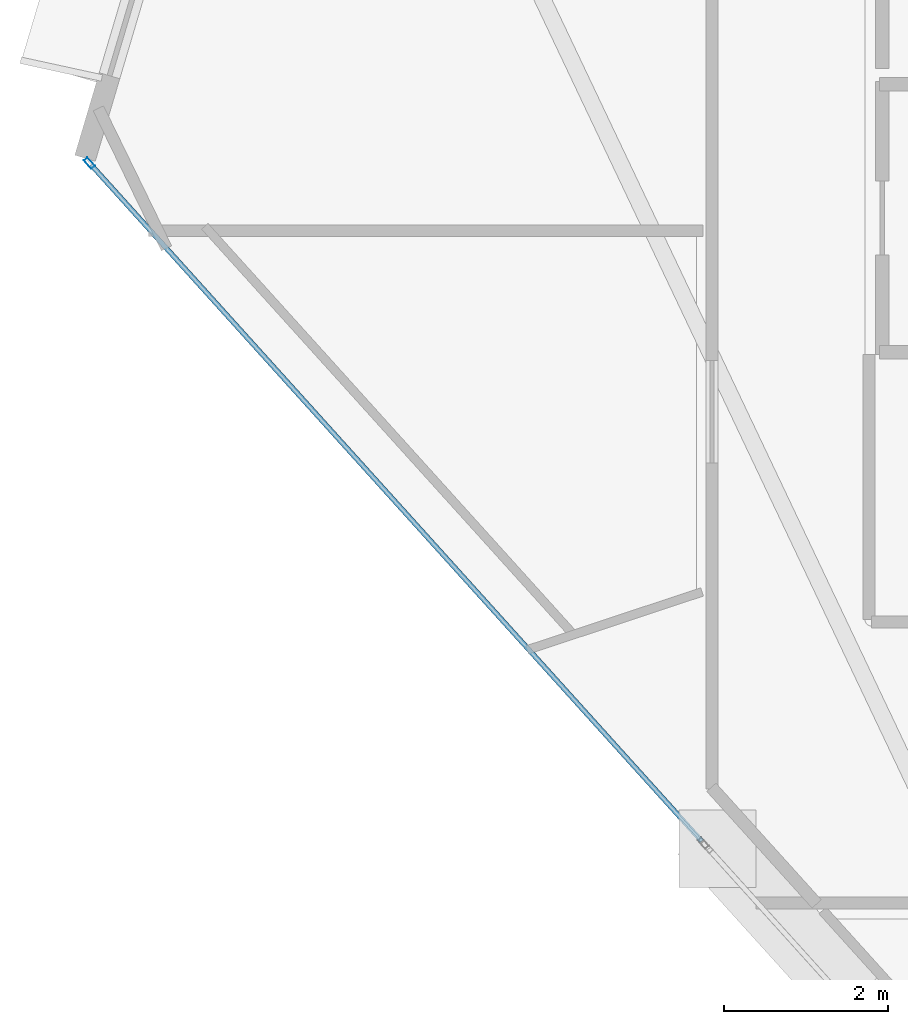
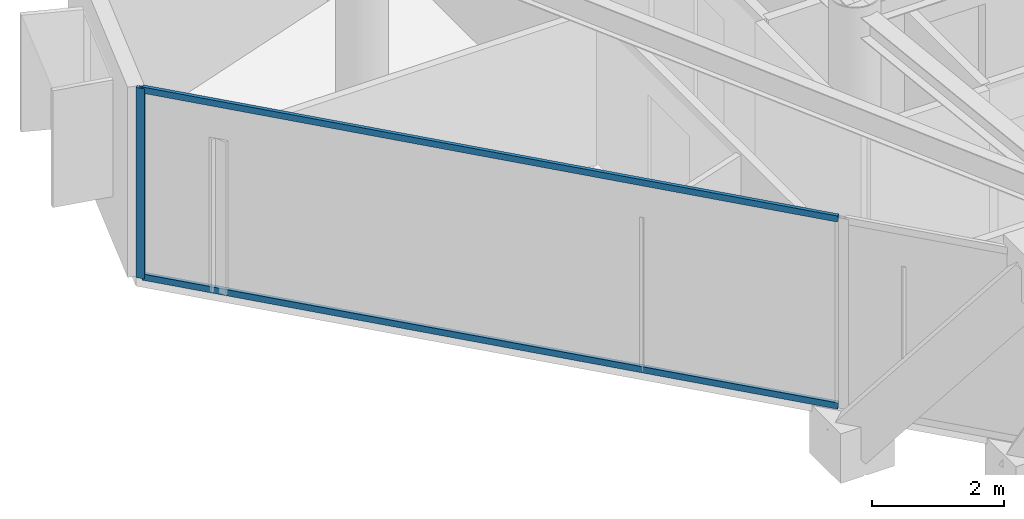
# One storey, part 6 of 19: 3 members, 1 element without a shape of its own.
"""IFC4 building model written with IfcOpenShell, lengths in metres."""

import ifcopenshell
import ifcopenshell.guid

model = None  # the IFC model being written
_history = None  # IfcOwnerHistory: only IFC2X3 demands one
_inside = {}  # id of a spatial element -> (the spatial element, [elements in it])
_under = {}  # id of a project, library or spatial element -> (it, [spatial elements below it])
_declared = {}  # id of a project -> (the project, [libraries it declares])
_typed = {}  # id of a type object -> (the type object, [elements of that type])
_made_of = {}  # id of a material, layer set ... -> (it, [elements and type objects made of it])


def new_model(schema):
    """Start an empty IFC model of exactly this schema.

    Asked for "IFC4X3", IfcOpenShell would pick the latest addendum, in which some entities
    have other attributes; the version numbers below select the first issue.
    IFC2X3 requires an IfcOwnerHistory on every rooted entity: one is made here for all.
    """
    global model, _history
    if schema == "IFC4X3":
        model = ifcopenshell.file(schema_version=(4, 3, 0, 0))
    else:
        model = ifcopenshell.file(schema=schema)
    _inside.clear()
    _under.clear()
    _declared.clear()
    _typed.clear()
    _made_of.clear()
    _history = None
    if model.schema == "IFC2X3":
        org = make("IfcOrganization", Name="unknown")
        user = make(
            "IfcPersonAndOrganization",
            ThePerson=make("IfcPerson", FamilyName="unknown"),
            TheOrganization=org,
        )
        app = make(
            "IfcApplication",
            ApplicationDeveloper=org,
            Version="unknown",
            ApplicationFullName="unknown",
            ApplicationIdentifier="unknown",
        )
        _history = make(
            "IfcOwnerHistory",
            OwningUser=user,
            OwningApplication=app,
            ChangeAction="ADDED",
            CreationDate=0,
        )
    return model


def make(cls, **values):
    """One entity of the class cls with the attributes given. An attribute that is None is left unset."""
    return model.create_entity(
        cls, **{name: value for name, value in values.items() if value is not None}
    )


def rooted(cls, **values):
    """An entity with a GlobalId (a new one), such as an element, a storey or a relation."""
    return make(cls, GlobalId=ifcopenshell.guid.new(), OwnerHistory=_history, **values)


def si_unit(unit_type, name, prefix=None):
    """IfcSIUnit, for example si_unit("LENGTHUNIT", "METRE", prefix="MILLI")."""
    return make("IfcSIUnit", UnitType=unit_type, Prefix=prefix, Name=name)


def assignment(units):
    """IfcUnitAssignment: the units of a project."""
    return None if units is None else make("IfcUnitAssignment", Units=units)


def point(xyz):
    """IfcCartesianPoint."""
    return None if xyz is None else make("IfcCartesianPoint", Coordinates=xyz)


def direction(xyz):
    """IfcDirection."""
    return None if xyz is None else make("IfcDirection", DirectionRatios=xyz)


def frame(location, z_axis=None, x_axis=None):
    """IfcAxis2Placement3D, a coordinate frame: its origin and axes. An axis left out is left unset."""
    return make(
        "IfcAxis2Placement3D",
        Location=point(location),
        Axis=direction(z_axis),
        RefDirection=direction(x_axis),
    )


def frame_2d(location, x_axis=None):
    """IfcAxis2Placement2D, a coordinate frame in the plane: its origin and x axis."""
    return make(
        "IfcAxis2Placement2D", Location=point(location), RefDirection=direction(x_axis)
    )


def origin():
    """The frame at (0, 0, 0) with its axes left unset."""
    return frame((0.0, 0.0, 0.0))


def origin_2d():
    """The frame at (0, 0) in the plane with its x axis left unset."""
    return frame_2d((0.0, 0.0))


def place(relative_to, where):
    """IfcLocalPlacement: puts the frame where relative to a parent placement (None: the world)."""
    return make(
        "IfcLocalPlacement", PlacementRelTo=relative_to, RelativePlacement=where
    )


def context(
    kind, dimensions, precision=None, world=None, true_north=None, identifier=None
):
    """IfcGeometricRepresentationContext, for example the 3D "Model" context."""
    return make(
        "IfcGeometricRepresentationContext",
        ContextIdentifier=identifier,
        ContextType=kind,
        CoordinateSpaceDimension=dimensions,
        Precision=precision,
        WorldCoordinateSystem=world,
        TrueNorth=true_north,
    )


def subcontext(parent, identifier, kind, view, scale=None):
    """IfcGeometricRepresentationSubContext, for example "Body" below "Model"."""
    return make(
        "IfcGeometricRepresentationSubContext",
        ContextIdentifier=identifier,
        ContextType=kind,
        ParentContext=parent,
        TargetScale=scale,
        TargetView=view,
    )


def project(units=None, contexts=None):
    """IfcProject with its units and contexts."""
    return rooted(
        "IfcProject",
        Name="project",
        RepresentationContexts=contexts,
        UnitsInContext=assignment(units),
    )


def spatial(cls, under=None, at=None, **own):
    """A site, building, storey or space (cls), placed at a placement, below another one or the project."""
    s = rooted(cls, ObjectPlacement=at, **own)
    if under is not None:
        _under.setdefault(under.id(), (under, []))[1].append(s)
    return s


def profile(cls, at=None, kind="AREA", **sizes):
    """A parametric profile (cls). Its sizes go by their IFC names, for example OverallWidth=200.0."""
    return make(cls, ProfileType=kind, Position=at, **sizes)


def hollow_rectangle(**sizes):
    """IfcRectangleHollowProfileDef."""
    return profile("IfcRectangleHollowProfileDef", **sizes)


def extrude(swept, where, along, depth):
    """IfcExtrudedAreaSolid: the profile swept, set in the frame where, extruded along a direction by depth."""
    return make(
        "IfcExtrudedAreaSolid",
        SweptArea=swept,
        Position=where,
        ExtrudedDirection=direction(along),
        Depth=depth,
    )


def shape(context_of_items, identifier, shape_type, items):
    """IfcShapeRepresentation: the items that make up one representation, for example the "Body"."""
    return make(
        "IfcShapeRepresentation",
        ContextOfItems=context_of_items,
        RepresentationIdentifier=identifier,
        RepresentationType=shape_type,
        Items=items,
    )


def material(Name=None, Category=None):
    """IfcMaterial."""
    return make("IfcMaterial", Name=Name, Category=Category)


def layer(
    of_material, thickness, ventilated=None, Name=None, Category=None, Priority=None
):
    """IfcMaterialLayer: one layer of a wall or slab, of a material (None: an air gap)."""
    return make(
        "IfcMaterialLayer",
        Material=of_material,
        LayerThickness=thickness,
        IsVentilated=ventilated,
        Name=Name,
        Category=Category,
        Priority=Priority,
    )


def layer_set(layers, Name=None):
    """IfcMaterialLayerSet."""
    return make("IfcMaterialLayerSet", MaterialLayers=layers, LayerSetName=Name)


def material_profile(
    of_material, cross_section, Name=None, Category=None, Priority=None
):
    """IfcMaterialProfile: a cross section and its material."""
    return make(
        "IfcMaterialProfile",
        Name=Name,
        Material=of_material,
        Profile=cross_section,
        Priority=Priority,
        Category=Category,
    )


def profile_set(profiles, Name=None, composite=None):
    """IfcMaterialProfileSet."""
    return make(
        "IfcMaterialProfileSet",
        Name=Name,
        MaterialProfiles=profiles,
        CompositeProfile=composite,
    )


def made_of(thing, what):
    """Note that an element or type object is made of a material, layer set ...; save() writes the relation."""
    if what is not None:
        _made_of.setdefault(what.id(), (what, []))[1].append(thing)
    return thing


def type_object(cls, material=None, **own):
    """A type object (cls), such as IfcWallType, which elements share."""
    return made_of(rooted(cls, **own), material)


def element(
    cls,
    number,
    at=None,
    inside=None,
    cuts=None,
    type_object=None,
    material=None,
    context=None,
    identifier="Body",
    shape_type=None,
    held_by="IfcProductDefinitionShape",
    body=None,
    shapes=None,
    **own,
):
    """One element of the class cls, such as IfcWall. Its Tag is "e" and its number.

    at: its placement. inside: the storey or other place that contains it. cuts: it is an
    opening in that element (IfcRelVoidsElement). A single representation is given by context,
    identifier, shape_type and body (its items); several are given by shapes. held_by: the class
    of the entity that holds the representations. save() writes the other relations.
    """
    e = rooted(cls, Tag="e%d" % number, ObjectPlacement=at, **own)
    if body is not None:
        shapes = [shape(context, identifier, shape_type, body)]
    if shapes is not None:
        e.Representation = make(held_by, Representations=shapes)
    if inside is not None:
        _inside.setdefault(inside.id(), (inside, []))[1].append(e)
    if cuts is not None:
        rooted(
            "IfcRelVoidsElement", RelatingBuildingElement=cuts, RelatedOpeningElement=e
        )
    if type_object is not None:
        _typed.setdefault(type_object.id(), (type_object, []))[1].append(e)
    return made_of(e, material)


def aggregate(whole, parts):
    """IfcRelAggregates: a whole, such as a stair, and the parts it consists of."""
    return rooted("IfcRelAggregates", RelatingObject=whole, RelatedObjects=parts)


def save(model, path):
    """Write the relations noted so far, then the file.

    IfcRelAggregates (storeys below a building ...), IfcRelContainedInSpatialStructure (elements
    in a storey), IfcRelDefinesByType, IfcRelAssociatesMaterial and IfcRelDeclares: one each for
    every whole, place, type object, material and project.
    """
    for whole, parts in _under.values():
        aggregate(whole, parts)
    for where, things in _inside.values():
        rooted(
            "IfcRelContainedInSpatialStructure",
            RelatedElements=things,
            RelatingStructure=where,
        )
    for kind, things in _typed.values():
        rooted("IfcRelDefinesByType", RelatedObjects=things, RelatingType=kind)
    for what, things in _made_of.values():
        rooted("IfcRelAssociatesMaterial", RelatedObjects=things, RelatingMaterial=what)
    for by, libraries in _declared.values():
        rooted("IfcRelDeclares", RelatingContext=by, RelatedDefinitions=libraries)
    model.write(path)


model = new_model("IFC4")

# Units and contexts
model_context = context("Model", 3, precision=1e-05, world=origin(), true_north=direction((0.0, 1.0)))
body_context = subcontext(model_context, "Body", "Model", "MODEL_VIEW")
ifc_project = project(units=[si_unit("LENGTHUNIT", "METRE"), si_unit("AREAUNIT", "SQUARE_METRE"), si_unit("VOLUMEUNIT", "CUBIC_METRE"), si_unit("PLANEANGLEUNIT", "RADIAN"), si_unit("MASSUNIT", "GRAM", prefix="KILO")], contexts=[model_context])

# Site, building, storey
site_placement = place(None, origin())
site = spatial("IfcSite", under=ifc_project, at=site_placement, CompositionType="ELEMENT")
building_placement = place(site_placement, origin())
building = spatial("IfcBuilding", under=site, at=building_placement, Name="Qianvela Tower", CompositionType="ELEMENT")
storey_placement = place(building_placement, frame((0.0, 0.0, 329.60009765625)))
storey = spatial("IfcBuildingStorey", under=building, at=storey_placement, Name="L85", CompositionType="ELEMENT", Elevation=329.60009765625)

# Curtain wall, members
ifc_material_1 = material(Name="Anodised Architectural Aluminium and Low-E Glass", Category="aluminium")
ifc_layer = layer(ifc_material_1, 0.14990234375)
ifc_layer_set = layer_set([ifc_layer], Name="Anodised Architectural Aluminium and Low-E Glass")
curtain_wall_type = type_object("IfcCurtainWallType", Name="CW-COLIV-Z78", PredefinedType="USERDEFINED", material=ifc_layer_set)
curtain_wall_placement = place(storey_placement, origin())
curtain_wall = element("IfcCurtainWall", 1, at=curtain_wall_placement, inside=storey, type_object=curtain_wall_type, Name="L85 CW-COLIV-Z78 Curtain Wall 04A", ObjectType="CURTAIN_WALL_SYSTEM", PredefinedType="USERDEFINED")
ifc_material_2 = material(Name="Anodised Architectural Aluminium 6063-T6", Category="aluminium")
ifc_material_profile_1 = material_profile(ifc_material_2, hollow_rectangle(XDim=0.06005859375, YDim=0.139892578125, WallThickness=0.00439453125, at=origin_2d()), Name="ALU-MULL-60x140")
ifc_profile_set_1 = profile_set([ifc_material_profile_1], Name="Anodised Architectural Aluminium 6063-T6")
member_type_1 = type_object("IfcMemberType", Name="CW-COLIV-Z78-MULL", PredefinedType="MULLION", material=ifc_profile_set_1)
member_1_placement = place(storey_placement, frame((18.1103515625, 27.329345703125, 0.0), z_axis=(0.0, 0.0, 1.0), x_axis=(0.742210798771, 0.670166494378, 0.0)))
member_1 = element("IfcMember", 2, at=member_1_placement, type_object=member_type_1, Name="CW-6 mullion 1", PredefinedType="MULLION", context=body_context, shape_type="SweptSolid", body=[
    extrude(hollow_rectangle(XDim=0.06005859375, YDim=0.139892578125, WallThickness=0.00439453125, at=origin_2d()), origin(), (0.0, 0.0, 1.0), 3.52001953125),
])
ifc_material_3 = material(Name="Anodised Architectural Aluminium 6063-T6", Category="aluminium")
ifc_material_profile_2 = material_profile(ifc_material_3, hollow_rectangle(XDim=0.06005859375, YDim=0.114990234375, WallThickness=0.00390625, at=origin_2d()), Name="ALU-TRAN-60x115")
ifc_profile_set_2 = profile_set([ifc_material_profile_2], Name="Anodised Architectural Aluminium 6063-T6")
member_type_2 = type_object("IfcMemberType", Name="CW-COLIV-Z78-TRAN", PredefinedType="USERDEFINED", material=ifc_profile_set_2)
member_2_placement = place(storey_placement, frame((18.13037109375, 27.30712890625, 0.02978515625), z_axis=(0.670162946919, -0.742214001873, 0.0), x_axis=(0.742214001873, 0.670162946919, 0.0)))
member_2 = element("IfcMember", 3, at=member_2_placement, type_object=member_type_2, Name="CW-6 transom 1.1", ObjectType="TRANSOM", PredefinedType="USERDEFINED", context=body_context, shape_type="SweptSolid", body=[
    extrude(hollow_rectangle(XDim=0.06005859375, YDim=0.114990234375, WallThickness=0.00390625, at=origin_2d()), origin(), (0.0, 0.0, 1.0), 11.080078125),
])
member_3_placement = place(storey_placement, frame((18.13037109375, 27.30712890625, 3.489990234375), z_axis=(0.670162946919, -0.742214001873, 0.0), x_axis=(0.742214001873, 0.670162946919, 0.0)))
member_3 = element("IfcMember", 4, at=member_3_placement, type_object=member_type_2, Name="CW-6 transom 1.2", ObjectType="TRANSOM", PredefinedType="USERDEFINED", context=body_context, shape_type="SweptSolid", body=[
    extrude(hollow_rectangle(XDim=0.06005859375, YDim=0.114990234375, WallThickness=0.00390625, at=origin_2d()), origin(), (0.0, 0.0, 1.0), 11.080078125),
])
aggregate(curtain_wall, [member_1, member_2, member_3])

save(model, "model.ifc")
